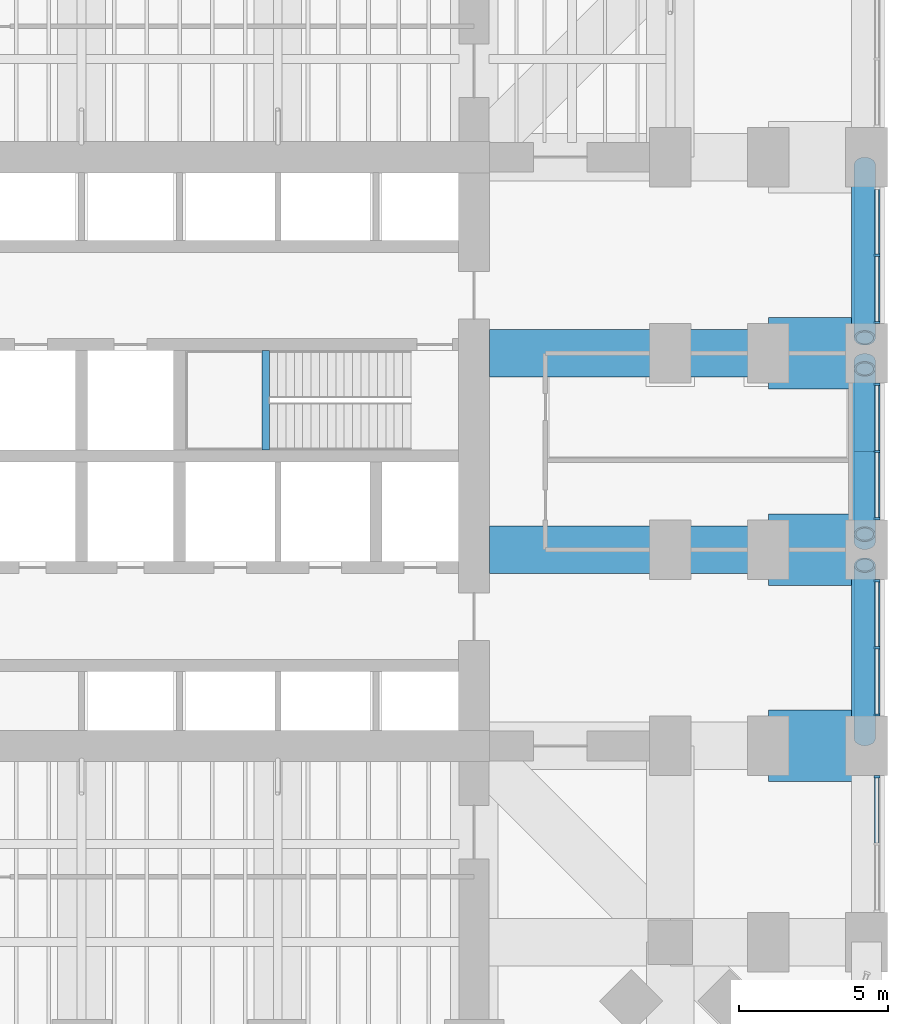
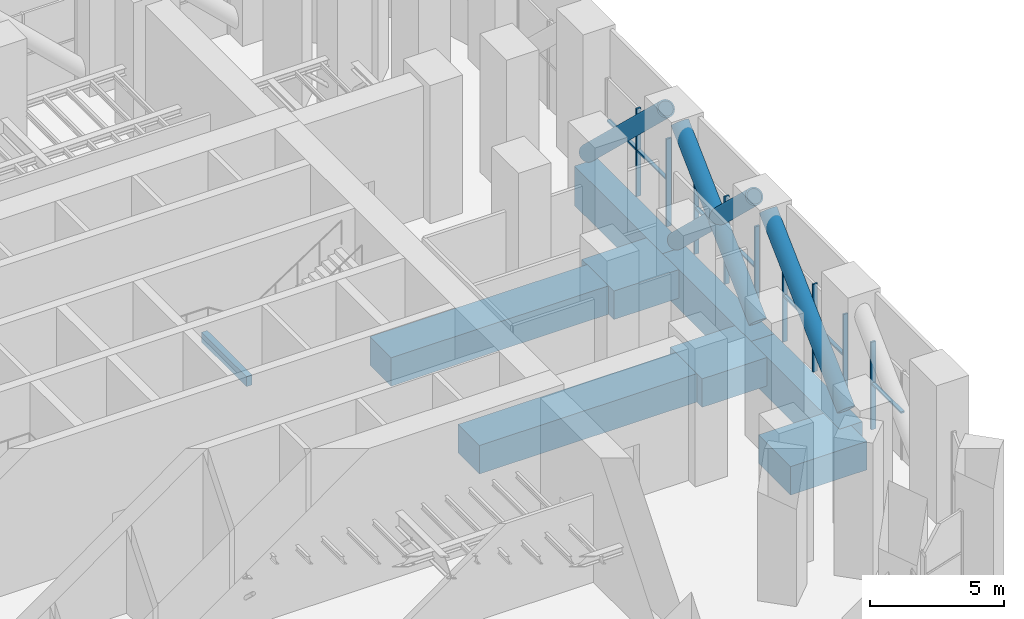
# One storey, part 6 of 17: 20 members, 9 beams, 4 elements without a shape of their own.
"""IFC4 building model written with IfcOpenShell, lengths in metres."""

from ifc_helpers import new_model, si_unit, direction, frame, origin, origin_2d, place, context, subcontext, project, spatial, rectangle, hollow_circle, extrude, material, material_profile, profile_set, type_object, element, aggregate, save


model = new_model("IFC4")

# Units and contexts
model_context = context("Model", 3, precision=1e-05, world=origin(), true_north=direction((0.0, 1.0)))
body_context = subcontext(model_context, "Body", "Model", "MODEL_VIEW")
ifc_project = project(units=[si_unit("LENGTHUNIT", "METRE"), si_unit("AREAUNIT", "SQUARE_METRE"), si_unit("VOLUMEUNIT", "CUBIC_METRE"), si_unit("PLANEANGLEUNIT", "RADIAN"), si_unit("MASSUNIT", "GRAM", prefix="KILO")], contexts=[model_context])

# Site, building, storey
site_placement = place(None, origin())
site = spatial("IfcSite", under=ifc_project, at=site_placement, CompositionType="ELEMENT")
building_placement = place(site_placement, origin())
building = spatial("IfcBuilding", under=site, at=building_placement, Name="Cobogo Forest Laboratory Tower", CompositionType="ELEMENT")
storey_placement = place(building_placement, frame((0.0, 0.0, 75.89990234375)))
storey = spatial("IfcBuildingStorey", under=building, at=storey_placement, Name="L17", CompositionType="ELEMENT", Elevation=75.89990234375)

# Members
ifc_material_1 = material(Name="Steel S460NH", Category="steel")
ifc_material_profile_1 = material_profile(ifc_material_1, hollow_circle(Radius=0.35546875, WallThickness=0.06005859375, at=origin_2d()), Name="CHS 711x60")
ifc_profile_set_1 = profile_set([ifc_material_profile_1], Name="Steel S460NH")
member_type_1 = type_object("IfcMemberType", Name="Belt truss diagonal CHS 711x60", PredefinedType="BRACE", material=ifc_profile_set_1)
for number, where, z_axis, x_axis, name in (
    (1, (52.739990234375, 13.449951171875, 0.23876953125), (0.0, 0.723363796511, 0.690467101242), (-1.0, 0.0, 0.0), "BT1 belt truss diagonal E08 L17"),
    (2, (52.739990234375, 20.050048828125, 0.23876953125), (0.0, 0.723349354665, 0.69048223084), (-1.0, 0.0, 0.0), "BT1 belt truss diagonal E09 L17"),
    (3, (52.739990234375, 26.14990234375, 0.23876953125), (0.0, -0.723349354665, 0.69048223084), (1.0, 0.0, 0.0), "BT1 belt truss diagonal E10 L17"),
    (4, (52.739990234375, 32.75, 0.23876953125), (0.0, -0.723363796511, 0.690467101242), (1.0, 0.0, 0.0), "BT1 belt truss diagonal E11 L17"),
):
    element("IfcMember", number, at=place(storey_placement, frame(where, z_axis=z_axis, x_axis=x_axis)), inside=storey, type_object=member_type_1, Name=name, PredefinedType="BRACE", context=body_context, shape_type="SweptSolid", body=[
        extrude(hollow_circle(Radius=0.35546875, WallThickness=0.06005859375, at=origin_2d()), origin(), (0.0, 0.0, 1.0), 8.0595703125),
    ])

# Beam
ifc_material_2 = material(Name="Concrete HA-40 (C40/50)", Category="concrete")
ifc_material_profile_2 = material_profile(ifc_material_2, rectangle(XDim=0.25, YDim=0.449951171875, at=origin_2d()), Name="RC 250x450")
ifc_profile_set_2 = profile_set([ifc_material_profile_2], Name="Concrete HA-40 (C40/50)")
beam_type_1 = type_object("IfcBeamType", Name="LB1 landing beam 250x450", PredefinedType="BEAM", material=ifc_profile_set_2)
beam_1_placement = place(storey_placement, frame((32.590087890625, 23.14990234375, 2.72509765625), z_axis=(0.0, 1.0, 0.0), x_axis=(-1.0, 0.0, 0.0)))
element("IfcBeam", 5, at=beam_1_placement, inside=storey, type_object=beam_type_1, Name="Landing beam ST2 L17", PredefinedType="BEAM", context=body_context, shape_type="SweptSolid", body=[
    extrude(rectangle(XDim=0.25, YDim=0.449951171875, at=origin_2d()), origin(), (0.0, 0.0, 1.0), 3.35009765625),
])

# Curtain wall, member
ifc_material_3 = material(Name="Aluminium curtain wall", Category="aluminium")
curtain_wall_type = type_object("IfcCurtainWallType", Name="CW-P louvred curtain wall, plant floors", PredefinedType="USERDEFINED", material=ifc_material_3)
curtain_wall_1_placement = place(storey_placement, origin())
curtain_wall_1 = element("IfcCurtainWall", 6, at=curtain_wall_1_placement, inside=storey, type_object=curtain_wall_type, Name="Curtain wall 10 L17", ObjectType="LOUVRED CURTAIN WALL", PredefinedType="USERDEFINED")
ifc_material_4 = material(Name="Aluminium mullion", Category="aluminium")
ifc_material_profile_3 = material_profile(ifc_material_4, rectangle(XDim=0.080078125, YDim=0.199951171875, at=origin_2d()), Name="AL 80x200")
ifc_profile_set_3 = profile_set([ifc_material_profile_3], Name="Aluminium mullion")
member_type_2 = type_object("IfcMemberType", Name="MU-3 aluminium louvre mullion 80x200", PredefinedType="MULLION", material=ifc_profile_set_3)
member_1_placement = place(storey_placement, frame((53.14990234375, 12.159912109375, 0.0), z_axis=(0.0, 0.0, 1.0), x_axis=(0.0, 1.0, 0.0)))
member_1 = element("IfcMember", 7, at=member_1_placement, type_object=member_type_2, Name="CW-P mullion 3", PredefinedType="MULLION", context=body_context, shape_type="SweptSolid", body=[
    extrude(rectangle(XDim=0.080078125, YDim=0.199951171875, at=origin_2d()), origin(), (0.0, 0.0, 1.0), 4.0),
])

# Curtain wall, members
curtain_wall_2_placement = place(storey_placement, origin())
curtain_wall_2 = element("IfcCurtainWall", 8, at=curtain_wall_2_placement, inside=storey, type_object=curtain_wall_type, Name="Curtain wall 11 L17", ObjectType="LOUVRED CURTAIN WALL", PredefinedType="USERDEFINED")
member_2_placement = place(storey_placement, frame((53.14990234375, 14.239990234375, 0.0), z_axis=(0.0, 0.0, 1.0), x_axis=(0.0, 1.0, 0.0)))
member_2 = element("IfcMember", 9, at=member_2_placement, type_object=member_type_2, Name="CW-P mullion 1", PredefinedType="MULLION", context=body_context, shape_type="SweptSolid", body=[
    extrude(rectangle(XDim=0.080078125, YDim=0.199951171875, at=origin_2d()), origin(), (0.0, 0.0, 1.0), 4.0),
])
member_3_placement = place(storey_placement, frame((53.14990234375, 16.5, 0.0), z_axis=(0.0, 0.0, 1.0), x_axis=(0.0, 1.0, 0.0)))
member_3 = element("IfcMember", 10, at=member_3_placement, type_object=member_type_2, Name="CW-P mullion 2", PredefinedType="MULLION", context=body_context, shape_type="SweptSolid", body=[
    extrude(rectangle(XDim=0.080078125, YDim=0.199951171875, at=origin_2d()), origin(), (0.0, 0.0, 1.0), 4.0),
])
member_4_placement = place(storey_placement, frame((53.14990234375, 18.760009765625, 0.0), z_axis=(0.0, 0.0, 1.0), x_axis=(0.0, 1.0, 0.0)))
member_4 = element("IfcMember", 11, at=member_4_placement, type_object=member_type_2, Name="CW-P mullion 3", PredefinedType="MULLION", context=body_context, shape_type="SweptSolid", body=[
    extrude(rectangle(XDim=0.080078125, YDim=0.199951171875, at=origin_2d()), origin(), (0.0, 0.0, 1.0), 4.0),
])

curtain_wall_3_placement = place(storey_placement, origin())
curtain_wall_3 = element("IfcCurtainWall", 12, at=curtain_wall_3_placement, inside=storey, type_object=curtain_wall_type, Name="Curtain wall 12 L17", ObjectType="LOUVRED CURTAIN WALL", PredefinedType="USERDEFINED")
member_5_placement = place(storey_placement, frame((53.14990234375, 20.840087890625, 0.0), z_axis=(0.0, 0.0, 1.0), x_axis=(0.0, 1.0, 0.0)))
member_5 = element("IfcMember", 13, at=member_5_placement, type_object=member_type_2, Name="CW-P mullion 1", PredefinedType="MULLION", context=body_context, shape_type="SweptSolid", body=[
    extrude(rectangle(XDim=0.080078125, YDim=0.199951171875, at=origin_2d()), origin(), (0.0, 0.0, 1.0), 4.0),
])
member_6_placement = place(storey_placement, frame((53.14990234375, 23.10009765625, 0.0), z_axis=(0.0, 0.0, 1.0), x_axis=(0.0, 1.0, 0.0)))
member_6 = element("IfcMember", 14, at=member_6_placement, type_object=member_type_2, Name="CW-P mullion 2", PredefinedType="MULLION", context=body_context, shape_type="SweptSolid", body=[
    extrude(rectangle(XDim=0.080078125, YDim=0.199951171875, at=origin_2d()), origin(), (0.0, 0.0, 1.0), 4.0),
])
member_7_placement = place(storey_placement, frame((53.14990234375, 25.360107421875, 0.0), z_axis=(0.0, 0.0, 1.0), x_axis=(0.0, 1.0, 0.0)))
member_7 = element("IfcMember", 15, at=member_7_placement, type_object=member_type_2, Name="CW-P mullion 3", PredefinedType="MULLION", context=body_context, shape_type="SweptSolid", body=[
    extrude(rectangle(XDim=0.080078125, YDim=0.199951171875, at=origin_2d()), origin(), (0.0, 0.0, 1.0), 4.0),
])

curtain_wall_4_placement = place(storey_placement, origin())
curtain_wall_4 = element("IfcCurtainWall", 16, at=curtain_wall_4_placement, inside=storey, type_object=curtain_wall_type, Name="Curtain wall 13 L17", ObjectType="LOUVRED CURTAIN WALL", PredefinedType="USERDEFINED")
member_8_placement = place(storey_placement, frame((53.14990234375, 27.43994140625, 0.0), z_axis=(0.0, 0.0, 1.0), x_axis=(0.0, 1.0, 0.0)))
member_8 = element("IfcMember", 17, at=member_8_placement, type_object=member_type_2, Name="CW-P mullion 1", PredefinedType="MULLION", context=body_context, shape_type="SweptSolid", body=[
    extrude(rectangle(XDim=0.080078125, YDim=0.199951171875, at=origin_2d()), origin(), (0.0, 0.0, 1.0), 4.0),
])
member_9_placement = place(storey_placement, frame((53.14990234375, 29.699951171875, 0.0), z_axis=(0.0, 0.0, 1.0), x_axis=(0.0, 1.0, 0.0)))
member_9 = element("IfcMember", 18, at=member_9_placement, type_object=member_type_2, Name="CW-P mullion 2", PredefinedType="MULLION", context=body_context, shape_type="SweptSolid", body=[
    extrude(rectangle(XDim=0.080078125, YDim=0.199951171875, at=origin_2d()), origin(), (0.0, 0.0, 1.0), 4.0),
])

# Beams
ifc_material_profile_4 = material_profile(ifc_material_2, rectangle(XDim=1.60009765625, YDim=1.300048828125, at=origin_2d()), Name="RC 1600x1300")
ifc_profile_set_4 = profile_set([ifc_material_profile_4], Name="Concrete HA-40 (C40/50)")
beam_type_2 = type_object("IfcBeamType", Name="Plant and roof garden wide beam 1600x1300", PredefinedType="BEAM", material=ifc_profile_set_4)
for number, where, z_axis, x_axis, name in (
    (19, (40.125, 19.800048828125, -1.0), (1.0, 0.0, 0.0), (0.0, 1.0, 0.0), "RB4 R-D-E L17"),
    (20, (40.125, 26.39990234375, -1.0), (1.0, 0.0, 0.0), (0.0, 1.0, 0.0), "RB4 R-E-E L17"),
):
    element("IfcBeam", number, at=place(storey_placement, frame(where, z_axis=z_axis, x_axis=x_axis)), inside=storey, type_object=beam_type_2, Name=name, PredefinedType="BEAM", context=body_context, shape_type="SweptSolid", body=[
        extrude(rectangle(XDim=1.60009765625, YDim=1.300048828125, at=origin_2d()), origin(), (0.0, 0.0, 1.0), 9.375),
    ])
ifc_material_5 = material(Name="Concrete HA-50 (C50/60)", Category="concrete")
ifc_material_profile_5 = material_profile(ifc_material_5, rectangle(XDim=2.39990234375, YDim=1.300048828125, at=origin_2d()), Name="RC 2400x1300")
ifc_profile_set_5 = profile_set([ifc_material_profile_5], Name="Concrete HA-50 (C50/60)")
beam_type_3 = type_object("IfcBeamType", Name="Plant floor end-bay beam 2400x1300", PredefinedType="BEAM", material=ifc_profile_set_5)
for number, where, z_axis, x_axis, name in (
    (21, (52.800048828125, 13.199951171875, -1.0), (-1.0, 0.0, 0.0), (0.0, -1.0, 0.0), "RB6 R-C-E-X L17"),
    (22, (52.800048828125, 19.800048828125, -1.0), (-1.0, 0.0, 0.0), (0.0, -1.0, 0.0), "RB6 R-D-E-X L17"),
    (23, (52.800048828125, 26.39990234375, -1.0), (-1.0, 0.0, 0.0), (0.0, -1.0, 0.0), "RB6 R-E-E-X L17"),
):
    element("IfcBeam", number, at=place(storey_placement, frame(where, z_axis=z_axis, x_axis=x_axis)), inside=storey, type_object=beam_type_3, Name=name, PredefinedType="BEAM", context=body_context, shape_type="SweptSolid", body=[
        extrude(rectangle(XDim=2.39990234375, YDim=1.300048828125, at=origin_2d()), origin(), (0.0, 0.0, 1.0), 3.300048828125),
    ])
ifc_material_profile_6 = material_profile(ifc_material_2, rectangle(XDim=1.0, YDim=1.800048828125, at=origin_2d()), Name="RC 1000x1800")
ifc_profile_set_6 = profile_set([ifc_material_profile_6], Name="Concrete HA-40 (C40/50)")
beam_type_4 = type_object("IfcBeamType", Name="Plant floor perimeter girder 1000x1800", PredefinedType="BEAM", material=ifc_profile_set_6)
beam_2_placement = place(storey_placement, frame((52.800048828125, 13.199951171875, -1.25), z_axis=(0.0, 1.0, 0.0), x_axis=(-1.0, 0.0, 0.0)))
element("IfcBeam", 24, at=beam_2_placement, inside=storey, type_object=beam_type_4, Name="TG1 E-E2 L17", PredefinedType="BEAM", context=body_context, shape_type="SweptSolid", body=[
    extrude(rectangle(XDim=1.0, YDim=1.800048828125, at=origin_2d()), origin(), (0.0, 0.0, 1.0), 6.60009765625),
])
beam_3_placement = place(storey_placement, frame((52.800048828125, 19.800048828125, -1.25), z_axis=(0.0, 1.0, 0.0), x_axis=(-1.0, 0.0, 0.0)))
element("IfcBeam", 25, at=beam_3_placement, inside=storey, type_object=beam_type_4, Name="TG1 E-E3 L17", PredefinedType="BEAM", context=body_context, shape_type="SweptSolid", body=[
    extrude(rectangle(XDim=1.0, YDim=1.800048828125, at=origin_2d()), origin(), (0.0, 0.0, 1.0), 6.599853515625),
])
beam_4_placement = place(storey_placement, frame((52.800048828125, 26.39990234375, -1.25), z_axis=(0.0, 1.0, 0.0), x_axis=(-1.0, 0.0, 0.0)))
element("IfcBeam", 26, at=beam_4_placement, inside=storey, type_object=beam_type_4, Name="TG1 E-E4 L17", PredefinedType="BEAM", context=body_context, shape_type="SweptSolid", body=[
    extrude(rectangle(XDim=1.0, YDim=1.800048828125, at=origin_2d()), origin(), (0.0, 0.0, 1.0), 6.60009765625),
])

# Member
ifc_material_6 = material(Name="Aluminium transom", Category="aluminium")
ifc_material_profile_7 = material_profile(ifc_material_6, rectangle(XDim=0.14990234375, YDim=0.080078125, at=origin_2d()), Name="AL 80x150")
ifc_profile_set_7 = profile_set([ifc_material_profile_7], Name="Aluminium transom")
member_type_3 = type_object("IfcMemberType", Name="TR-2 aluminium louvre transom 80x150", PredefinedType="USERDEFINED", material=ifc_profile_set_7)
member_10_placement = place(storey_placement, frame((53.14990234375, 9.93994140625, 2.10009765625), z_axis=(0.0, 1.0, 0.0), x_axis=(-1.0, 0.0, 0.0)))
member_10 = element("IfcMember", 27, at=member_10_placement, type_object=member_type_3, Name="CW-P transom 2.1", ObjectType="TRANSOM", PredefinedType="USERDEFINED", context=body_context, shape_type="SweptSolid", body=[
    extrude(rectangle(XDim=0.14990234375, YDim=0.080078125, at=origin_2d()), origin(), (0.0, 0.0, 1.0), 2.18017578125),
])

aggregate(curtain_wall_1, [member_1, member_10])

member_11_placement = place(storey_placement, frame((53.14990234375, 14.280029296875, 2.10009765625), z_axis=(0.0, 1.0, 0.0), x_axis=(-1.0, 0.0, 0.0)))
member_11 = element("IfcMember", 28, at=member_11_placement, type_object=member_type_3, Name="CW-P transom 1.1", ObjectType="TRANSOM", PredefinedType="USERDEFINED", context=body_context, shape_type="SweptSolid", body=[
    extrude(rectangle(XDim=0.14990234375, YDim=0.080078125, at=origin_2d()), origin(), (0.0, 0.0, 1.0), 2.179931640625),
])

member_12_placement = place(storey_placement, frame((53.14990234375, 16.5400390625, 2.10009765625), z_axis=(0.0, 1.0, 0.0), x_axis=(-1.0, 0.0, 0.0)))
member_12 = element("IfcMember", 29, at=member_12_placement, type_object=member_type_3, Name="CW-P transom 2.1", ObjectType="TRANSOM", PredefinedType="USERDEFINED", context=body_context, shape_type="SweptSolid", body=[
    extrude(rectangle(XDim=0.14990234375, YDim=0.080078125, at=origin_2d()), origin(), (0.0, 0.0, 1.0), 2.179931640625),
])

aggregate(curtain_wall_2, [member_2, member_3, member_4, member_11, member_12])

member_13_placement = place(storey_placement, frame((53.14990234375, 20.8798828125, 2.10009765625), z_axis=(0.0, 1.0, 0.0), x_axis=(-1.0, 0.0, 0.0)))
member_13 = element("IfcMember", 30, at=member_13_placement, type_object=member_type_3, Name="CW-P transom 1.1", ObjectType="TRANSOM", PredefinedType="USERDEFINED", context=body_context, shape_type="SweptSolid", body=[
    extrude(rectangle(XDim=0.14990234375, YDim=0.080078125, at=origin_2d()), origin(), (0.0, 0.0, 1.0), 2.18017578125),
])

member_14_placement = place(storey_placement, frame((53.14990234375, 23.139892578125, 2.10009765625), z_axis=(0.0, 1.0, 0.0), x_axis=(-1.0, 0.0, 0.0)))
member_14 = element("IfcMember", 31, at=member_14_placement, type_object=member_type_3, Name="CW-P transom 2.1", ObjectType="TRANSOM", PredefinedType="USERDEFINED", context=body_context, shape_type="SweptSolid", body=[
    extrude(rectangle(XDim=0.14990234375, YDim=0.080078125, at=origin_2d()), origin(), (0.0, 0.0, 1.0), 2.18017578125),
])

aggregate(curtain_wall_3, [member_5, member_6, member_7, member_13, member_14])

member_15_placement = place(storey_placement, frame((53.14990234375, 27.47998046875, 2.10009765625), z_axis=(0.0, 1.0, 0.0), x_axis=(-1.0, 0.0, 0.0)))
member_15 = element("IfcMember", 32, at=member_15_placement, type_object=member_type_3, Name="CW-P transom 1.1", ObjectType="TRANSOM", PredefinedType="USERDEFINED", context=body_context, shape_type="SweptSolid", body=[
    extrude(rectangle(XDim=0.14990234375, YDim=0.080078125, at=origin_2d()), origin(), (0.0, 0.0, 1.0), 2.179931640625),
])

member_16_placement = place(storey_placement, frame((53.14990234375, 29.739990234375, 2.10009765625), z_axis=(0.0, 1.0, 0.0), x_axis=(-1.0, 0.0, 0.0)))
member_16 = element("IfcMember", 33, at=member_16_placement, type_object=member_type_3, Name="CW-P transom 2.1", ObjectType="TRANSOM", PredefinedType="USERDEFINED", context=body_context, shape_type="SweptSolid", body=[
    extrude(rectangle(XDim=0.14990234375, YDim=0.080078125, at=origin_2d()), origin(), (0.0, 0.0, 1.0), 2.179931640625),
])

aggregate(curtain_wall_4, [member_8, member_9, member_15, member_16])

save(model, "model.ifc")
